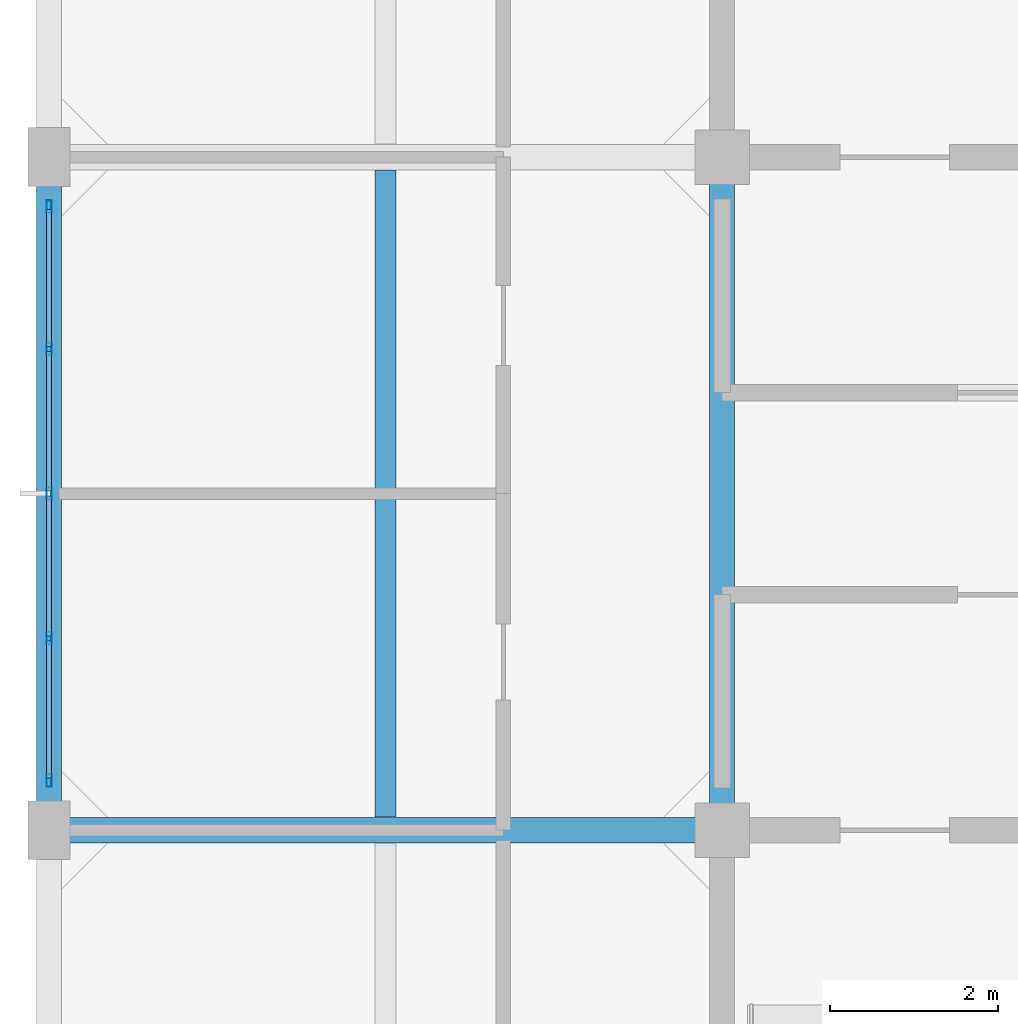
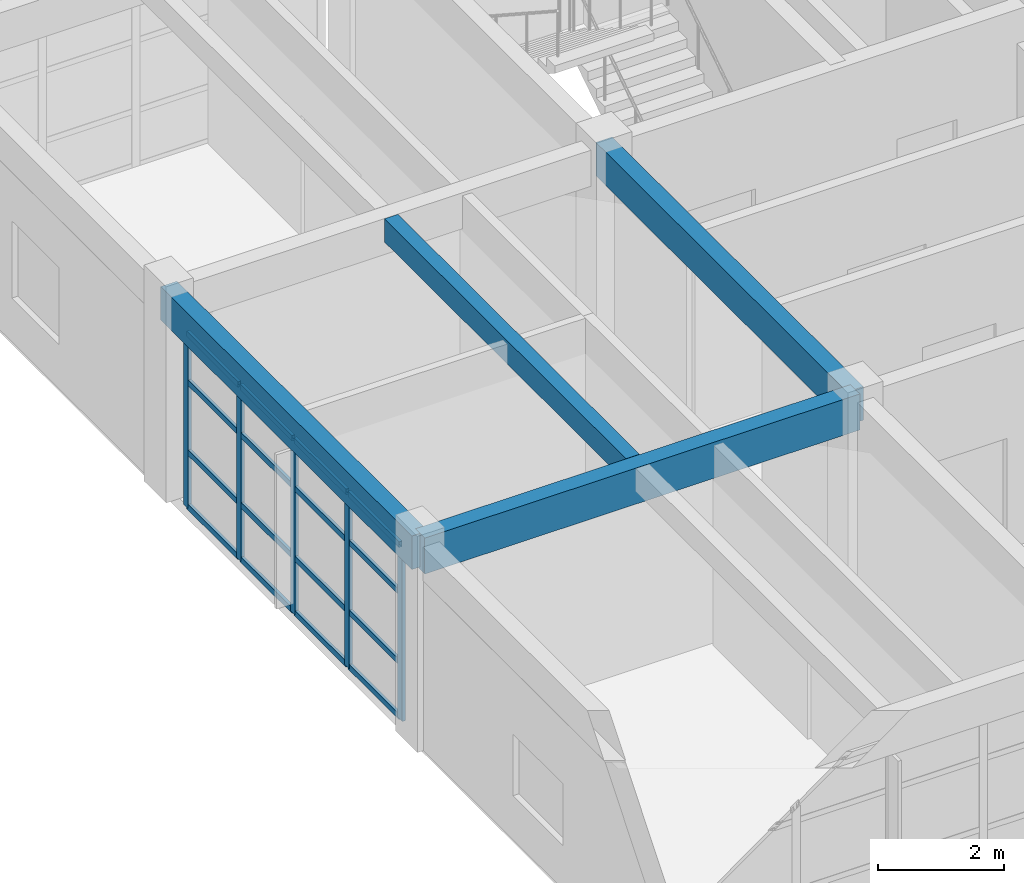
# One storey, part 4 of 18: 21 members, 4 beams, 1 element without a shape of its own.
"""IFC4 building model written with IfcOpenShell, lengths in metres."""

from ifc_helpers import new_model, si_unit, direction, frame, origin, origin_2d, place, context, subcontext, project, spatial, rectangle, hollow_rectangle, extrude, material, layer, layer_set, material_profile, profile_set, type_object, element, aggregate, save


model = new_model("IFC4")

# Units and contexts
model_context = context("Model", 3, precision=1e-05, world=origin(), true_north=direction((0.0, 1.0)))
body_context = subcontext(model_context, "Body", "Model", "MODEL_VIEW")
ifc_project = project(units=[si_unit("LENGTHUNIT", "METRE"), si_unit("AREAUNIT", "SQUARE_METRE"), si_unit("VOLUMEUNIT", "CUBIC_METRE"), si_unit("PLANEANGLEUNIT", "RADIAN"), si_unit("MASSUNIT", "GRAM", prefix="KILO")], contexts=[model_context])

# Site, building, storey
site_placement = place(None, origin())
site = spatial("IfcSite", under=ifc_project, at=site_placement, CompositionType="ELEMENT")
building_placement = place(site_placement, origin())
building = spatial("IfcBuilding", under=site, at=building_placement, Name="Canggui Botanical Conservatory", CompositionType="ELEMENT")
storey_placement = place(building_placement, frame((0.0, 0.0, 61.199951171875)))
storey = spatial("IfcBuildingStorey", under=building, at=storey_placement, Name="L15", CompositionType="ELEMENT", Elevation=61.199951171875)

# Beams
ifc_material_1 = material(Name="Concrete C35", Category="concrete")
ifc_material_profile_1 = material_profile(ifc_material_1, rectangle(XDim=0.25, YDim=0.449951171875, at=origin_2d()), Name="RB 250x450")
ifc_profile_set_1 = profile_set([ifc_material_profile_1], Name="Concrete C35")
beam_type_1 = type_object("IfcBeamType", Name="BM-JST05", PredefinedType="JOIST", material=ifc_profile_set_1)
beam_1_placement = place(storey_placement, frame((150.0, 50.155029296875, 3.735107421875), z_axis=(0.0, 1.0, 0.0), x_axis=(-1.0, 0.0, 0.0)))
element("IfcBeam", 1, at=beam_1_placement, inside=storey, type_object=beam_type_1, Name="Secondary Floor Joist L15-1-2", PredefinedType="JOIST", context=body_context, shape_type="SweptSolid", body=[
    extrude(rectangle(XDim=0.25, YDim=0.449951171875, at=origin_2d()), origin(), (0.0, 0.0, 1.0), 7.68994140625),
])
ifc_material_profile_2 = material_profile(ifc_material_1, rectangle(XDim=0.300048828125, YDim=0.699951171875, at=origin_2d()), Name="RB 300x700")
ifc_profile_set_2 = profile_set([ifc_material_profile_2], Name="Concrete C35")
beam_type_2 = type_object("IfcBeamType", Name="BM-KL21", PredefinedType="BEAM", material=ifc_profile_set_2)
beam_2_placement = place(storey_placement, frame((146.0, 50.0, 3.610107421875), z_axis=(1.0, 0.0, 0.0), x_axis=(0.0, 1.0, 0.0)))
element("IfcBeam", 2, at=beam_2_placement, inside=storey, type_object=beam_type_2, Name="Frame Girder L15 Y50-1", PredefinedType="BEAM", context=body_context, shape_type="SweptSolid", body=[
    extrude(rectangle(XDim=0.300048828125, YDim=0.699951171875, at=origin_2d()), origin(), (0.0, 0.0, 1.0), 8.0),
])
ifc_material_profile_3 = material_profile(ifc_material_1, rectangle(XDim=0.300048828125, YDim=0.64990234375, at=origin_2d()), Name="RB 300x650")
ifc_profile_set_3 = profile_set([ifc_material_profile_3], Name="Concrete C35")
beam_type_3 = type_object("IfcBeamType", Name="BM-KL22", PredefinedType="BEAM", material=ifc_profile_set_3)
for number, where, z_axis, x_axis, name in (
    (3, (146.0, 50.0, 3.635009765625), (0.0, 1.0, 0.0), (-1.0, 0.0, 0.0), "Frame Girder L15 X146-2"),
    (4, (154.0, 50.0, 3.635009765625), (0.0, 1.0, 0.0), (-1.0, 0.0, 0.0), "Frame Girder L15 X154-2"),
):
    element("IfcBeam", number, at=place(storey_placement, frame(where, z_axis=z_axis, x_axis=x_axis)), inside=storey, type_object=beam_type_3, Name=name, PredefinedType="BEAM", context=body_context, shape_type="SweptSolid", body=[
        extrude(rectangle(XDim=0.300048828125, YDim=0.64990234375, at=origin_2d()), origin(), (0.0, 0.0, 1.0), 8.0),
    ])

# Curtain wall, members
ifc_material_2 = material(Name="Thermally Broken Aluminium", Category="aluminium")
ifc_layer = layer(ifc_material_2, 0.14990234375, Name="Thermally Broken Aluminium", Category="aluminium")
ifc_layer_set = layer_set([ifc_layer], Name="Thermally Broken Aluminium")
curtain_wall_type = type_object("IfcCurtainWallType", Name="CW-UNIT-C", PredefinedType="USERDEFINED", material=ifc_layer_set)
curtain_wall_placement = place(storey_placement, origin())
curtain_wall = element("IfcCurtainWall", 5, at=curtain_wall_placement, inside=storey, type_object=curtain_wall_type, Name="Facade Curtain Wall CW-TWR-L15-05", ObjectType="UNITISED CURTAIN WALL", PredefinedType="USERDEFINED")
ifc_material_profile_4 = material_profile(ifc_material_2, hollow_rectangle(XDim=0.06005859375, YDim=0.14990234375, WallThickness=0.00341796875, at=origin_2d()), Name="CWM 60x150x3.5")
ifc_profile_set_4 = profile_set([ifc_material_profile_4], Name="Thermally Broken Aluminium")
member_type_1 = type_object("IfcMemberType", Name="CWM-03", PredefinedType="MULLION", material=ifc_profile_set_4)
member_1_placement = place(storey_placement, frame((146.0, 50.590087890625, 0.0), z_axis=(0.0, 0.0, 1.0), x_axis=(-1.0, 0.0, 0.0)))
member_1 = element("IfcMember", 6, at=member_1_placement, type_object=member_type_1, Name="CW-03 mullion 1", PredefinedType="MULLION", context=body_context, shape_type="SweptSolid", body=[
    extrude(hollow_rectangle(XDim=0.06005859375, YDim=0.14990234375, WallThickness=0.00341796875, at=origin_2d()), origin(), (0.0, 0.0, 1.0), 3.400146484375),
])
member_2_placement = place(storey_placement, frame((146.0, 52.280029296875, 0.0), z_axis=(0.0, 0.0, 1.0), x_axis=(-1.0, 0.0, 0.0)))
member_2 = element("IfcMember", 7, at=member_2_placement, type_object=member_type_1, Name="CW-03 mullion 2", PredefinedType="MULLION", context=body_context, shape_type="SweptSolid", body=[
    extrude(hollow_rectangle(XDim=0.06005859375, YDim=0.14990234375, WallThickness=0.00341796875, at=origin_2d()), origin(), (0.0, 0.0, 1.0), 3.400146484375),
])
member_3_placement = place(storey_placement, frame((146.0, 54.0, 0.0), z_axis=(0.0, 0.0, 1.0), x_axis=(-1.0, 0.0, 0.0)))
member_3 = element("IfcMember", 8, at=member_3_placement, type_object=member_type_1, Name="CW-03 mullion 3", PredefinedType="MULLION", context=body_context, shape_type="SweptSolid", body=[
    extrude(hollow_rectangle(XDim=0.06005859375, YDim=0.14990234375, WallThickness=0.00341796875, at=origin_2d()), origin(), (0.0, 0.0, 1.0), 3.400146484375),
])
member_4_placement = place(storey_placement, frame((146.0, 55.719970703125, 0.0), z_axis=(0.0, 0.0, 1.0), x_axis=(-1.0, 0.0, 0.0)))
member_4 = element("IfcMember", 9, at=member_4_placement, type_object=member_type_1, Name="CW-03 mullion 4", PredefinedType="MULLION", context=body_context, shape_type="SweptSolid", body=[
    extrude(hollow_rectangle(XDim=0.06005859375, YDim=0.14990234375, WallThickness=0.00341796875, at=origin_2d()), origin(), (0.0, 0.0, 1.0), 3.400146484375),
])
member_5_placement = place(storey_placement, frame((146.0, 57.409912109375, 0.0), z_axis=(0.0, 0.0, 1.0), x_axis=(-1.0, 0.0, 0.0)))
member_5 = element("IfcMember", 10, at=member_5_placement, type_object=member_type_1, Name="CW-03 mullion 5", PredefinedType="MULLION", context=body_context, shape_type="SweptSolid", body=[
    extrude(hollow_rectangle(XDim=0.06005859375, YDim=0.14990234375, WallThickness=0.00341796875, at=origin_2d()), origin(), (0.0, 0.0, 1.0), 3.400146484375),
])
ifc_material_profile_5 = material_profile(ifc_material_2, hollow_rectangle(XDim=0.054931640625, YDim=0.110107421875, WallThickness=0.0029296875, at=origin_2d()), Name="CWT 55x110x3")
ifc_profile_set_5 = profile_set([ifc_material_profile_5], Name="Thermally Broken Aluminium")
member_type_2 = type_object("IfcMemberType", Name="CWT-03", PredefinedType="USERDEFINED", material=ifc_profile_set_5)
member_6_placement = place(storey_placement, frame((146.0, 50.6201171875, 0.027587890625), z_axis=(0.0, 1.0, 0.0), x_axis=(-1.0, 0.0, 0.0)))
member_6 = element("IfcMember", 11, at=member_6_placement, type_object=member_type_2, Name="CW-03 transom 1.1", ObjectType="TRANSOM", PredefinedType="USERDEFINED", context=body_context, shape_type="SweptSolid", body=[
    extrude(hollow_rectangle(XDim=0.054931640625, YDim=0.110107421875, WallThickness=0.0029296875, at=origin_2d()), origin(), (0.0, 0.0, 1.0), 1.6298828125),
])
member_7_placement = place(storey_placement, frame((146.0, 50.6201171875, 1.088134765625), z_axis=(0.0, 1.0, 0.0), x_axis=(-1.0, 0.0, 0.0)))
member_7 = element("IfcMember", 12, at=member_7_placement, type_object=member_type_2, Name="CW-03 transom 1.2", ObjectType="TRANSOM", PredefinedType="USERDEFINED", context=body_context, shape_type="SweptSolid", body=[
    extrude(hollow_rectangle(XDim=0.054931640625, YDim=0.110107421875, WallThickness=0.0029296875, at=origin_2d()), origin(), (0.0, 0.0, 1.0), 1.6298828125),
])
member_8_placement = place(storey_placement, frame((146.0, 50.6201171875, 2.447998046875), z_axis=(0.0, 1.0, 0.0), x_axis=(-1.0, 0.0, 0.0)))
member_8 = element("IfcMember", 13, at=member_8_placement, type_object=member_type_2, Name="CW-03 transom 1.3", ObjectType="TRANSOM", PredefinedType="USERDEFINED", context=body_context, shape_type="SweptSolid", body=[
    extrude(hollow_rectangle(XDim=0.054931640625, YDim=0.110107421875, WallThickness=0.0029296875, at=origin_2d()), origin(), (0.0, 0.0, 1.0), 1.6298828125),
])
member_9_placement = place(storey_placement, frame((146.0, 50.6201171875, 3.37255859375), z_axis=(0.0, 1.0, 0.0), x_axis=(-1.0, 0.0, 0.0)))
member_9 = element("IfcMember", 14, at=member_9_placement, type_object=member_type_2, Name="CW-03 transom 1.4", ObjectType="TRANSOM", PredefinedType="USERDEFINED", context=body_context, shape_type="SweptSolid", body=[
    extrude(hollow_rectangle(XDim=0.054931640625, YDim=0.110107421875, WallThickness=0.0029296875, at=origin_2d()), origin(), (0.0, 0.0, 1.0), 1.6298828125),
])
member_10_placement = place(storey_placement, frame((146.0, 52.31005859375, 0.027587890625), z_axis=(0.0, 1.0, 0.0), x_axis=(-1.0, 0.0, 0.0)))
member_10 = element("IfcMember", 15, at=member_10_placement, type_object=member_type_2, Name="CW-03 transom 2.1", ObjectType="TRANSOM", PredefinedType="USERDEFINED", context=body_context, shape_type="SweptSolid", body=[
    extrude(hollow_rectangle(XDim=0.054931640625, YDim=0.110107421875, WallThickness=0.0029296875, at=origin_2d()), origin(), (0.0, 0.0, 1.0), 1.659912109375),
])
member_11_placement = place(storey_placement, frame((146.0, 52.31005859375, 1.088134765625), z_axis=(0.0, 1.0, 0.0), x_axis=(-1.0, 0.0, 0.0)))
member_11 = element("IfcMember", 16, at=member_11_placement, type_object=member_type_2, Name="CW-03 transom 2.2", ObjectType="TRANSOM", PredefinedType="USERDEFINED", context=body_context, shape_type="SweptSolid", body=[
    extrude(hollow_rectangle(XDim=0.054931640625, YDim=0.110107421875, WallThickness=0.0029296875, at=origin_2d()), origin(), (0.0, 0.0, 1.0), 1.659912109375),
])
member_12_placement = place(storey_placement, frame((146.0, 52.31005859375, 2.447998046875), z_axis=(0.0, 1.0, 0.0), x_axis=(-1.0, 0.0, 0.0)))
member_12 = element("IfcMember", 17, at=member_12_placement, type_object=member_type_2, Name="CW-03 transom 2.3", ObjectType="TRANSOM", PredefinedType="USERDEFINED", context=body_context, shape_type="SweptSolid", body=[
    extrude(hollow_rectangle(XDim=0.054931640625, YDim=0.110107421875, WallThickness=0.0029296875, at=origin_2d()), origin(), (0.0, 0.0, 1.0), 1.659912109375),
])
member_13_placement = place(storey_placement, frame((146.0, 52.31005859375, 3.37255859375), z_axis=(0.0, 1.0, 0.0), x_axis=(-1.0, 0.0, 0.0)))
member_13 = element("IfcMember", 18, at=member_13_placement, type_object=member_type_2, Name="CW-03 transom 2.4", ObjectType="TRANSOM", PredefinedType="USERDEFINED", context=body_context, shape_type="SweptSolid", body=[
    extrude(hollow_rectangle(XDim=0.054931640625, YDim=0.110107421875, WallThickness=0.0029296875, at=origin_2d()), origin(), (0.0, 0.0, 1.0), 1.659912109375),
])
member_14_placement = place(storey_placement, frame((146.0, 54.030029296875, 0.027587890625), z_axis=(0.0, 1.0, 0.0), x_axis=(-1.0, 0.0, 0.0)))
member_14 = element("IfcMember", 19, at=member_14_placement, type_object=member_type_2, Name="CW-03 transom 3.1", ObjectType="TRANSOM", PredefinedType="USERDEFINED", context=body_context, shape_type="SweptSolid", body=[
    extrude(hollow_rectangle(XDim=0.054931640625, YDim=0.110107421875, WallThickness=0.0029296875, at=origin_2d()), origin(), (0.0, 0.0, 1.0), 1.659912109375),
])
member_15_placement = place(storey_placement, frame((146.0, 54.030029296875, 1.088134765625), z_axis=(0.0, 1.0, 0.0), x_axis=(-1.0, 0.0, 0.0)))
member_15 = element("IfcMember", 20, at=member_15_placement, type_object=member_type_2, Name="CW-03 transom 3.2", ObjectType="TRANSOM", PredefinedType="USERDEFINED", context=body_context, shape_type="SweptSolid", body=[
    extrude(hollow_rectangle(XDim=0.054931640625, YDim=0.110107421875, WallThickness=0.0029296875, at=origin_2d()), origin(), (0.0, 0.0, 1.0), 1.659912109375),
])
member_16_placement = place(storey_placement, frame((146.0, 54.030029296875, 2.447998046875), z_axis=(0.0, 1.0, 0.0), x_axis=(-1.0, 0.0, 0.0)))
member_16 = element("IfcMember", 21, at=member_16_placement, type_object=member_type_2, Name="CW-03 transom 3.3", ObjectType="TRANSOM", PredefinedType="USERDEFINED", context=body_context, shape_type="SweptSolid", body=[
    extrude(hollow_rectangle(XDim=0.054931640625, YDim=0.110107421875, WallThickness=0.0029296875, at=origin_2d()), origin(), (0.0, 0.0, 1.0), 1.659912109375),
])
member_17_placement = place(storey_placement, frame((146.0, 54.030029296875, 3.37255859375), z_axis=(0.0, 1.0, 0.0), x_axis=(-1.0, 0.0, 0.0)))
member_17 = element("IfcMember", 22, at=member_17_placement, type_object=member_type_2, Name="CW-03 transom 3.4", ObjectType="TRANSOM", PredefinedType="USERDEFINED", context=body_context, shape_type="SweptSolid", body=[
    extrude(hollow_rectangle(XDim=0.054931640625, YDim=0.110107421875, WallThickness=0.0029296875, at=origin_2d()), origin(), (0.0, 0.0, 1.0), 1.659912109375),
])
member_18_placement = place(storey_placement, frame((146.0, 55.75, 0.027587890625), z_axis=(0.0, 1.0, 0.0), x_axis=(-1.0, 0.0, 0.0)))
member_18 = element("IfcMember", 23, at=member_18_placement, type_object=member_type_2, Name="CW-03 transom 4.1", ObjectType="TRANSOM", PredefinedType="USERDEFINED", context=body_context, shape_type="SweptSolid", body=[
    extrude(hollow_rectangle(XDim=0.054931640625, YDim=0.110107421875, WallThickness=0.0029296875, at=origin_2d()), origin(), (0.0, 0.0, 1.0), 1.6298828125),
])
member_19_placement = place(storey_placement, frame((146.0, 55.75, 1.088134765625), z_axis=(0.0, 1.0, 0.0), x_axis=(-1.0, 0.0, 0.0)))
member_19 = element("IfcMember", 24, at=member_19_placement, type_object=member_type_2, Name="CW-03 transom 4.2", ObjectType="TRANSOM", PredefinedType="USERDEFINED", context=body_context, shape_type="SweptSolid", body=[
    extrude(hollow_rectangle(XDim=0.054931640625, YDim=0.110107421875, WallThickness=0.0029296875, at=origin_2d()), origin(), (0.0, 0.0, 1.0), 1.6298828125),
])
member_20_placement = place(storey_placement, frame((146.0, 55.75, 2.447998046875), z_axis=(0.0, 1.0, 0.0), x_axis=(-1.0, 0.0, 0.0)))
member_20 = element("IfcMember", 25, at=member_20_placement, type_object=member_type_2, Name="CW-03 transom 4.3", ObjectType="TRANSOM", PredefinedType="USERDEFINED", context=body_context, shape_type="SweptSolid", body=[
    extrude(hollow_rectangle(XDim=0.054931640625, YDim=0.110107421875, WallThickness=0.0029296875, at=origin_2d()), origin(), (0.0, 0.0, 1.0), 1.6298828125),
])
member_21_placement = place(storey_placement, frame((146.0, 55.75, 3.37255859375), z_axis=(0.0, 1.0, 0.0), x_axis=(-1.0, 0.0, 0.0)))
member_21 = element("IfcMember", 26, at=member_21_placement, type_object=member_type_2, Name="CW-03 transom 4.4", ObjectType="TRANSOM", PredefinedType="USERDEFINED", context=body_context, shape_type="SweptSolid", body=[
    extrude(hollow_rectangle(XDim=0.054931640625, YDim=0.110107421875, WallThickness=0.0029296875, at=origin_2d()), origin(), (0.0, 0.0, 1.0), 1.6298828125),
])
aggregate(curtain_wall, [member_1, member_2, member_3, member_4, member_5, member_6, member_7, member_8, member_9, member_10, member_11, member_12, member_13, member_14, member_15, member_16, member_17, member_18, member_19, member_20, member_21])

save(model, "model.ifc")
